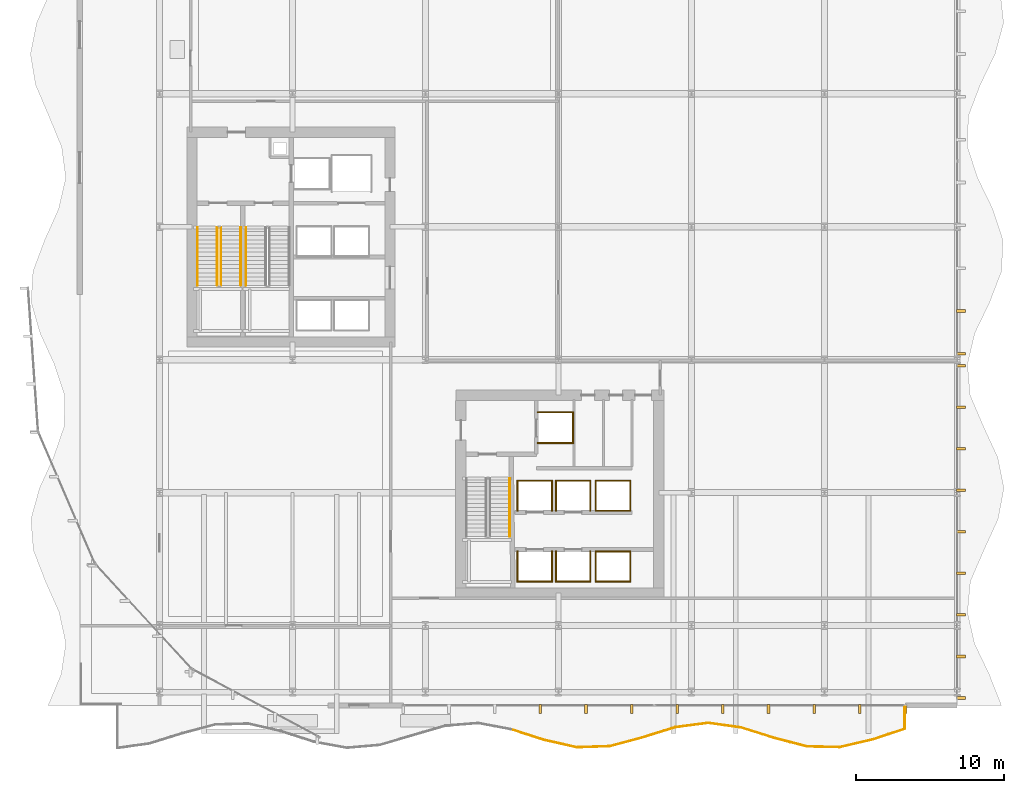
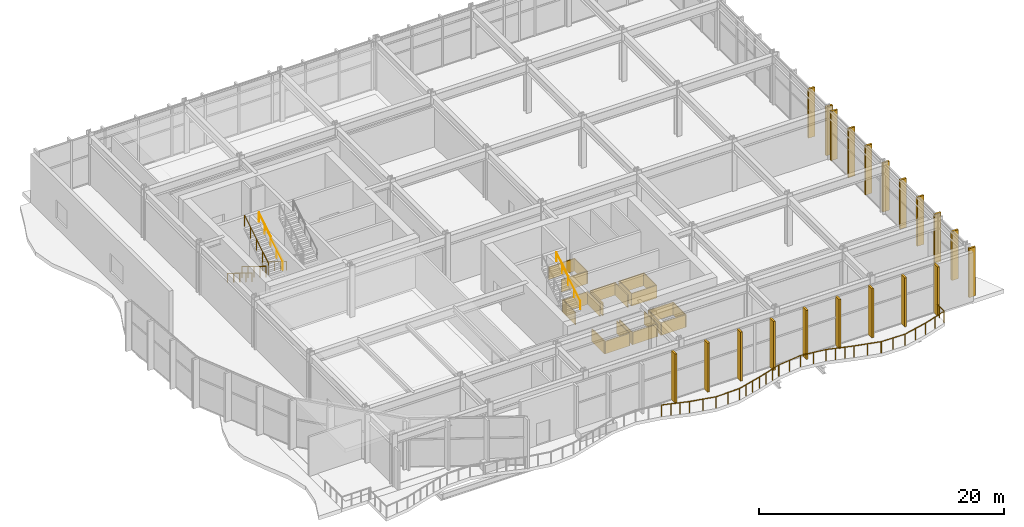
# One storey, part 28 of 31: 43 coverings, 19 railings.
"""IFC4 building model written with IfcOpenShell, lengths in metres."""

import ifcopenshell
import ifcopenshell.guid

model = None  # the IFC model being written
_history = None  # IfcOwnerHistory: only IFC2X3 demands one
_inside = {}  # id of a spatial element -> (the spatial element, [elements in it])
_under = {}  # id of a project, library or spatial element -> (it, [spatial elements below it])
_declared = {}  # id of a project -> (the project, [libraries it declares])
_typed = {}  # id of a type object -> (the type object, [elements of that type])
_made_of = {}  # id of a material, layer set ... -> (it, [elements and type objects made of it])


def new_model(schema):
    """Start an empty IFC model of exactly this schema.

    Asked for "IFC4X3", IfcOpenShell would pick the latest addendum, in which some entities
    have other attributes; the version numbers below select the first issue.
    IFC2X3 requires an IfcOwnerHistory on every rooted entity: one is made here for all.
    """
    global model, _history
    if schema == "IFC4X3":
        model = ifcopenshell.file(schema_version=(4, 3, 0, 0))
    else:
        model = ifcopenshell.file(schema=schema)
    _inside.clear()
    _under.clear()
    _declared.clear()
    _typed.clear()
    _made_of.clear()
    _history = None
    if model.schema == "IFC2X3":
        org = make("IfcOrganization", Name="unknown")
        user = make(
            "IfcPersonAndOrganization",
            ThePerson=make("IfcPerson", FamilyName="unknown"),
            TheOrganization=org,
        )
        app = make(
            "IfcApplication",
            ApplicationDeveloper=org,
            Version="unknown",
            ApplicationFullName="unknown",
            ApplicationIdentifier="unknown",
        )
        _history = make(
            "IfcOwnerHistory",
            OwningUser=user,
            OwningApplication=app,
            ChangeAction="ADDED",
            CreationDate=0,
        )
    return model


def make(cls, **values):
    """One entity of the class cls with the attributes given. An attribute that is None is left unset."""
    return model.create_entity(
        cls, **{name: value for name, value in values.items() if value is not None}
    )


def rooted(cls, **values):
    """An entity with a GlobalId (a new one), such as an element, a storey or a relation."""
    return make(cls, GlobalId=ifcopenshell.guid.new(), OwnerHistory=_history, **values)


def si_unit(unit_type, name, prefix=None):
    """IfcSIUnit, for example si_unit("LENGTHUNIT", "METRE", prefix="MILLI")."""
    return make("IfcSIUnit", UnitType=unit_type, Prefix=prefix, Name=name)


def assignment(units):
    """IfcUnitAssignment: the units of a project."""
    return None if units is None else make("IfcUnitAssignment", Units=units)


def point(xyz):
    """IfcCartesianPoint."""
    return None if xyz is None else make("IfcCartesianPoint", Coordinates=xyz)


def direction(xyz):
    """IfcDirection."""
    return None if xyz is None else make("IfcDirection", DirectionRatios=xyz)


def frame(location, z_axis=None, x_axis=None):
    """IfcAxis2Placement3D, a coordinate frame: its origin and axes. An axis left out is left unset."""
    return make(
        "IfcAxis2Placement3D",
        Location=point(location),
        Axis=direction(z_axis),
        RefDirection=direction(x_axis),
    )


def frame_2d(location, x_axis=None):
    """IfcAxis2Placement2D, a coordinate frame in the plane: its origin and x axis."""
    return make(
        "IfcAxis2Placement2D", Location=point(location), RefDirection=direction(x_axis)
    )


def origin():
    """The frame at (0, 0, 0) with its axes left unset."""
    return frame((0.0, 0.0, 0.0))


def origin_2d():
    """The frame at (0, 0) in the plane with its x axis left unset."""
    return frame_2d((0.0, 0.0))


def place(relative_to, where):
    """IfcLocalPlacement: puts the frame where relative to a parent placement (None: the world)."""
    return make(
        "IfcLocalPlacement", PlacementRelTo=relative_to, RelativePlacement=where
    )


def context(
    kind, dimensions, precision=None, world=None, true_north=None, identifier=None
):
    """IfcGeometricRepresentationContext, for example the 3D "Model" context."""
    return make(
        "IfcGeometricRepresentationContext",
        ContextIdentifier=identifier,
        ContextType=kind,
        CoordinateSpaceDimension=dimensions,
        Precision=precision,
        WorldCoordinateSystem=world,
        TrueNorth=true_north,
    )


def subcontext(parent, identifier, kind, view, scale=None):
    """IfcGeometricRepresentationSubContext, for example "Body" below "Model"."""
    return make(
        "IfcGeometricRepresentationSubContext",
        ContextIdentifier=identifier,
        ContextType=kind,
        ParentContext=parent,
        TargetScale=scale,
        TargetView=view,
    )


def project(units=None, contexts=None):
    """IfcProject with its units and contexts."""
    return rooted(
        "IfcProject",
        Name="project",
        RepresentationContexts=contexts,
        UnitsInContext=assignment(units),
    )


def spatial(cls, under=None, at=None, **own):
    """A site, building, storey or space (cls), placed at a placement, below another one or the project."""
    s = rooted(cls, ObjectPlacement=at, **own)
    if under is not None:
        _under.setdefault(under.id(), (under, []))[1].append(s)
    return s


def profile(cls, at=None, kind="AREA", **sizes):
    """A parametric profile (cls). Its sizes go by their IFC names, for example OverallWidth=200.0."""
    return make(cls, ProfileType=kind, Position=at, **sizes)


def rectangle(**sizes):
    """IfcRectangleProfileDef."""
    return profile("IfcRectangleProfileDef", **sizes)


def circle(**sizes):
    """IfcCircleProfileDef."""
    return profile("IfcCircleProfileDef", **sizes)


def extrude(swept, where, along, depth):
    """IfcExtrudedAreaSolid: the profile swept, set in the frame where, extruded along a direction by depth."""
    return make(
        "IfcExtrudedAreaSolid",
        SweptArea=swept,
        Position=where,
        ExtrudedDirection=direction(along),
        Depth=depth,
    )


def shape(context_of_items, identifier, shape_type, items):
    """IfcShapeRepresentation: the items that make up one representation, for example the "Body"."""
    return make(
        "IfcShapeRepresentation",
        ContextOfItems=context_of_items,
        RepresentationIdentifier=identifier,
        RepresentationType=shape_type,
        Items=items,
    )


def material(Name=None, Category=None):
    """IfcMaterial."""
    return make("IfcMaterial", Name=Name, Category=Category)


def layer(
    of_material, thickness, ventilated=None, Name=None, Category=None, Priority=None
):
    """IfcMaterialLayer: one layer of a wall or slab, of a material (None: an air gap)."""
    return make(
        "IfcMaterialLayer",
        Material=of_material,
        LayerThickness=thickness,
        IsVentilated=ventilated,
        Name=Name,
        Category=Category,
        Priority=Priority,
    )


def layer_set(layers, Name=None):
    """IfcMaterialLayerSet."""
    return make("IfcMaterialLayerSet", MaterialLayers=layers, LayerSetName=Name)


def made_of(thing, what):
    """Note that an element or type object is made of a material, layer set ...; save() writes the relation."""
    if what is not None:
        _made_of.setdefault(what.id(), (what, []))[1].append(thing)
    return thing


def type_object(cls, material=None, **own):
    """A type object (cls), such as IfcWallType, which elements share."""
    return made_of(rooted(cls, **own), material)


def element(
    cls,
    number,
    at=None,
    inside=None,
    cuts=None,
    type_object=None,
    material=None,
    context=None,
    identifier="Body",
    shape_type=None,
    held_by="IfcProductDefinitionShape",
    body=None,
    shapes=None,
    **own,
):
    """One element of the class cls, such as IfcWall. Its Tag is "e" and its number.

    at: its placement. inside: the storey or other place that contains it. cuts: it is an
    opening in that element (IfcRelVoidsElement). A single representation is given by context,
    identifier, shape_type and body (its items); several are given by shapes. held_by: the class
    of the entity that holds the representations. save() writes the other relations.
    """
    e = rooted(cls, Tag="e%d" % number, ObjectPlacement=at, **own)
    if body is not None:
        shapes = [shape(context, identifier, shape_type, body)]
    if shapes is not None:
        e.Representation = make(held_by, Representations=shapes)
    if inside is not None:
        _inside.setdefault(inside.id(), (inside, []))[1].append(e)
    if cuts is not None:
        rooted(
            "IfcRelVoidsElement", RelatingBuildingElement=cuts, RelatedOpeningElement=e
        )
    if type_object is not None:
        _typed.setdefault(type_object.id(), (type_object, []))[1].append(e)
    return made_of(e, material)


def aggregate(whole, parts):
    """IfcRelAggregates: a whole, such as a stair, and the parts it consists of."""
    return rooted("IfcRelAggregates", RelatingObject=whole, RelatedObjects=parts)


def save(model, path):
    """Write the relations noted so far, then the file.

    IfcRelAggregates (storeys below a building ...), IfcRelContainedInSpatialStructure (elements
    in a storey), IfcRelDefinesByType, IfcRelAssociatesMaterial and IfcRelDeclares: one each for
    every whole, place, type object, material and project.
    """
    for whole, parts in _under.values():
        aggregate(whole, parts)
    for where, things in _inside.values():
        rooted(
            "IfcRelContainedInSpatialStructure",
            RelatedElements=things,
            RelatingStructure=where,
        )
    for kind, things in _typed.values():
        rooted("IfcRelDefinesByType", RelatedObjects=things, RelatingType=kind)
    for what, things in _made_of.values():
        rooted("IfcRelAssociatesMaterial", RelatedObjects=things, RelatingMaterial=what)
    for by, libraries in _declared.values():
        rooted("IfcRelDeclares", RelatingContext=by, RelatedDefinitions=libraries)
    model.write(path)


model = new_model("IFC4")

# Units and contexts
model_context = context("Model", 3, precision=1e-05, world=origin(), true_north=direction((0.0, 1.0)))
body_context = subcontext(model_context, "Body", "Model", "MODEL_VIEW")
ifc_project = project(units=[si_unit("LENGTHUNIT", "METRE"), si_unit("AREAUNIT", "SQUARE_METRE"), si_unit("VOLUMEUNIT", "CUBIC_METRE"), si_unit("PLANEANGLEUNIT", "RADIAN"), si_unit("MASSUNIT", "GRAM", prefix="KILO")], contexts=[model_context])

# Site, building, storey
site_placement = place(None, origin())
site = spatial("IfcSite", under=ifc_project, at=site_placement, CompositionType="ELEMENT")
building_placement = place(site_placement, origin())
building = spatial("IfcBuilding", under=site, at=building_placement, Name="Solvaryn Broadcast Tower", CompositionType="ELEMENT")
storey_placement = place(building_placement, frame((0.0, 0.0, 11.0)))
storey = spatial("IfcBuildingStorey", under=building, at=storey_placement, Name="L02", CompositionType="ELEMENT", Elevation=11.0)

# Coverings
ifc_material_1 = material(Name="Fire-Rated Gypsum Shaftwall Liner", Category="concrete")
ifc_layer_1 = layer(ifc_material_1, 0.080078125)
ifc_layer_set_1 = layer_set([ifc_layer_1], Name="CV-SHAFT-LINER")
covering_type_1 = type_object("IfcCoveringType", Name="CV-SHAFT-LINER", PredefinedType="CLADDING", material=ifc_layer_set_1)
for number, where, z_axis, x_axis, name in (
    (1, (35.800048828125, 23.43994140625, 0.0), (0.0, 0.0, 1.0), (1.0, 0.0, 0.0), "L02 FL2 Hoistway Shaft Liner North"),
    (2, (35.800048828125, 21.360107421875, 0.0), (0.0, 0.0, 1.0), (1.0, 0.0, 0.0), "L02 FL2 Hoistway Shaft Liner South"),
):
    element("IfcCovering", number, at=place(storey_placement, frame(where, z_axis=z_axis, x_axis=x_axis)), inside=storey, type_object=covering_type_1, Name=name, PredefinedType="CLADDING", context=body_context, shape_type="SweptSolid", body=[
        extrude(rectangle(XDim=2.4599609375, YDim=0.080078125, at=origin_2d()), origin(), (0.0, 0.0, 1.0), 1.25),
    ])
covering_1_placement = place(storey_placement, frame((36.989990234375, 22.39990234375, 0.0), z_axis=(0.0, 0.0, 1.0), x_axis=(1.0, 0.0, 0.0)))
element("IfcCovering", 3, at=covering_1_placement, inside=storey, type_object=covering_type_1, Name="L02 FL2 Hoistway Shaft Liner East", PredefinedType="CLADDING", context=body_context, shape_type="SweptSolid", body=[
    extrude(rectangle(XDim=0.080078125, YDim=2.159912109375, at=origin_2d()), origin(), (0.0, 0.0, 1.0), 1.25),
])
covering_2_placement = place(storey_placement, frame((34.39990234375, 11.985107421875, 0.0), z_axis=(0.0, 0.0, 1.0), x_axis=(1.0, 0.0, 0.0)))
element("IfcCovering", 4, at=covering_2_placement, inside=storey, type_object=covering_type_1, Name="L02 PL1 Hoistway Shaft Liner South", PredefinedType="CLADDING", context=body_context, shape_type="SweptSolid", body=[
    extrude(rectangle(XDim=2.409912109375, YDim=0.080078125, at=origin_2d()), origin(), (0.0, 0.0, 1.0), 1.25),
])
for number, where, z_axis, x_axis, name in (
    (5, (35.56494140625, 13.0, 0.0), (0.0, 0.0, 1.0), (1.0, 0.0, 0.0), "L02 PL1 Hoistway Shaft Liner East"),
    (6, (33.235107421875, 13.0, 0.0), (0.0, 0.0, 1.0), (1.0, 0.0, 0.0), "L02 PL1 Hoistway Shaft Liner West"),
):
    element("IfcCovering", number, at=place(storey_placement, frame(where, z_axis=z_axis, x_axis=x_axis)), inside=storey, type_object=covering_type_1, Name=name, PredefinedType="CLADDING", context=body_context, shape_type="SweptSolid", body=[
        extrude(rectangle(XDim=0.080078125, YDim=2.110107421875, at=origin_2d()), origin(), (0.0, 0.0, 1.0), 1.25),
    ])
covering_3_placement = place(storey_placement, frame((37.0, 11.985107421875, 0.0), z_axis=(0.0, 0.0, 1.0), x_axis=(1.0, 0.0, 0.0)))
element("IfcCovering", 7, at=covering_3_placement, inside=storey, type_object=covering_type_1, Name="L02 PL2 Hoistway Shaft Liner South", PredefinedType="CLADDING", context=body_context, shape_type="SweptSolid", body=[
    extrude(rectangle(XDim=2.409912109375, YDim=0.080078125, at=origin_2d()), origin(), (0.0, 0.0, 1.0), 1.25),
])
for number, where, z_axis, x_axis, name in (
    (8, (38.1650390625, 13.0, 0.0), (0.0, 0.0, 1.0), (1.0, 0.0, 0.0), "L02 PL2 Hoistway Shaft Liner East"),
    (9, (35.8349609375, 13.0, 0.0), (0.0, 0.0, 1.0), (1.0, 0.0, 0.0), "L02 PL2 Hoistway Shaft Liner West"),
):
    element("IfcCovering", number, at=place(storey_placement, frame(where, z_axis=z_axis, x_axis=x_axis)), inside=storey, type_object=covering_type_1, Name=name, PredefinedType="CLADDING", context=body_context, shape_type="SweptSolid", body=[
        extrude(rectangle(XDim=0.080078125, YDim=2.110107421875, at=origin_2d()), origin(), (0.0, 0.0, 1.0), 1.25),
    ])
covering_4_placement = place(storey_placement, frame((34.39990234375, 18.81494140625, 0.0), z_axis=(0.0, 0.0, 1.0), x_axis=(1.0, 0.0, 0.0)))
element("IfcCovering", 10, at=covering_4_placement, inside=storey, type_object=covering_type_1, Name="L02 PL3 Hoistway Shaft Liner North", PredefinedType="CLADDING", context=body_context, shape_type="SweptSolid", body=[
    extrude(rectangle(XDim=2.409912109375, YDim=0.080078125, at=origin_2d()), origin(), (0.0, 0.0, 1.0), 1.25),
])
for number, where, z_axis, x_axis, name in (
    (11, (35.56494140625, 17.800048828125, 0.0), (0.0, 0.0, 1.0), (1.0, 0.0, 0.0), "L02 PL3 Hoistway Shaft Liner East"),
    (12, (33.235107421875, 17.800048828125, 0.0), (0.0, 0.0, 1.0), (1.0, 0.0, 0.0), "L02 PL3 Hoistway Shaft Liner West"),
):
    element("IfcCovering", number, at=place(storey_placement, frame(where, z_axis=z_axis, x_axis=x_axis)), inside=storey, type_object=covering_type_1, Name=name, PredefinedType="CLADDING", context=body_context, shape_type="SweptSolid", body=[
        extrude(rectangle(XDim=0.080078125, YDim=2.110107421875, at=origin_2d()), origin(), (0.0, 0.0, 1.0), 1.25),
    ])
covering_5_placement = place(storey_placement, frame((37.0, 18.81494140625, 0.0), z_axis=(0.0, 0.0, 1.0), x_axis=(1.0, 0.0, 0.0)))
element("IfcCovering", 13, at=covering_5_placement, inside=storey, type_object=covering_type_1, Name="L02 PL4 Hoistway Shaft Liner North", PredefinedType="CLADDING", context=body_context, shape_type="SweptSolid", body=[
    extrude(rectangle(XDim=2.409912109375, YDim=0.080078125, at=origin_2d()), origin(), (0.0, 0.0, 1.0), 1.25),
])
for number, where, z_axis, x_axis, name in (
    (14, (38.1650390625, 17.800048828125, 0.0), (0.0, 0.0, 1.0), (1.0, 0.0, 0.0), "L02 PL4 Hoistway Shaft Liner East"),
    (15, (35.8349609375, 17.800048828125, 0.0), (0.0, 0.0, 1.0), (1.0, 0.0, 0.0), "L02 PL4 Hoistway Shaft Liner West"),
):
    element("IfcCovering", number, at=place(storey_placement, frame(where, z_axis=z_axis, x_axis=x_axis)), inside=storey, type_object=covering_type_1, Name=name, PredefinedType="CLADDING", context=body_context, shape_type="SweptSolid", body=[
        extrude(rectangle(XDim=0.080078125, YDim=2.110107421875, at=origin_2d()), origin(), (0.0, 0.0, 1.0), 1.25),
    ])
for number, where, z_axis, x_axis, name in (
    (16, (39.699951171875, 14.014892578125, 0.0), (0.0, 0.0, 1.0), (1.0, 0.0, 0.0), "L02 PM1 Hoistway Shaft Liner North"),
    (17, (39.699951171875, 11.985107421875, 0.0), (0.0, 0.0, 1.0), (1.0, 0.0, 0.0), "L02 PM1 Hoistway Shaft Liner South"),
):
    element("IfcCovering", number, at=place(storey_placement, frame(where, z_axis=z_axis, x_axis=x_axis)), inside=storey, type_object=covering_type_1, Name=name, PredefinedType="CLADDING", context=body_context, shape_type="SweptSolid", body=[
        extrude(rectangle(XDim=2.409912109375, YDim=0.080078125, at=origin_2d()), origin(), (0.0, 0.0, 1.0), 1.25),
    ])
for number, where, z_axis, x_axis, name in (
    (18, (40.864990234375, 13.0, 0.0), (0.0, 0.0, 1.0), (1.0, 0.0, 0.0), "L02 PM1 Hoistway Shaft Liner East"),
    (19, (38.534912109375, 13.0, 0.0), (0.0, 0.0, 1.0), (1.0, 0.0, 0.0), "L02 PM1 Hoistway Shaft Liner West"),
):
    element("IfcCovering", number, at=place(storey_placement, frame(where, z_axis=z_axis, x_axis=x_axis)), inside=storey, type_object=covering_type_1, Name=name, PredefinedType="CLADDING", context=body_context, shape_type="SweptSolid", body=[
        extrude(rectangle(XDim=0.080078125, YDim=2.110107421875, at=origin_2d()), origin(), (0.0, 0.0, 1.0), 1.25),
    ])
for number, where, z_axis, x_axis, name in (
    (20, (39.699951171875, 18.81494140625, 0.0), (0.0, 0.0, 1.0), (1.0, 0.0, 0.0), "L02 PM2 Hoistway Shaft Liner North"),
    (21, (39.699951171875, 16.784912109375, 0.0), (0.0, 0.0, 1.0), (1.0, 0.0, 0.0), "L02 PM2 Hoistway Shaft Liner South"),
):
    element("IfcCovering", number, at=place(storey_placement, frame(where, z_axis=z_axis, x_axis=x_axis)), inside=storey, type_object=covering_type_1, Name=name, PredefinedType="CLADDING", context=body_context, shape_type="SweptSolid", body=[
        extrude(rectangle(XDim=2.409912109375, YDim=0.080078125, at=origin_2d()), origin(), (0.0, 0.0, 1.0), 1.25),
    ])
for number, where, z_axis, x_axis, name in (
    (22, (40.864990234375, 17.800048828125, 0.0), (0.0, 0.0, 1.0), (1.0, 0.0, 0.0), "L02 PM2 Hoistway Shaft Liner East"),
    (23, (38.534912109375, 17.800048828125, 0.0), (0.0, 0.0, 1.0), (1.0, 0.0, 0.0), "L02 PM2 Hoistway Shaft Liner West"),
):
    element("IfcCovering", number, at=place(storey_placement, frame(where, z_axis=z_axis, x_axis=x_axis)), inside=storey, type_object=covering_type_1, Name=name, PredefinedType="CLADDING", context=body_context, shape_type="SweptSolid", body=[
        extrude(rectangle(XDim=0.080078125, YDim=2.110107421875, at=origin_2d()), origin(), (0.0, 0.0, 1.0), 1.25),
    ])
ifc_material_2 = material(Name="Extruded Architectural Terracotta Fin", Category="masonry")
ifc_layer_2 = layer(ifc_material_2, 0.179931640625)
ifc_layer_set_2 = layer_set([ifc_layer_2], Name="CV-TC-FIN")
covering_type_2 = type_object("IfcCoveringType", Name="CV-TC-FIN", PredefinedType="USERDEFINED", material=ifc_layer_set_2)
for number, where, z_axis, x_axis, name in (
    (24, (59.5, 3.35009765625, 0.0), (0.0, 0.0, 1.0), (1.0, 0.0, 0.0), "L02 Terracotta Vertical Fin FIN-POD-L02-S1-00"),
    (25, (56.4091796875, 3.35009765625, 0.0), (0.0, 0.0, 1.0), (1.0, 0.0, 0.0), "L02 Terracotta Vertical Fin FIN-POD-L02-S1-01"),
    (26, (53.318115234375, 3.35009765625, 0.0), (0.0, 0.0, 1.0), (1.0, 0.0, 0.0), "L02 Terracotta Vertical Fin FIN-POD-L02-S1-02"),
    (27, (50.227294921875, 3.35009765625, 0.0), (0.0, 0.0, 1.0), (1.0, 0.0, 0.0), "L02 Terracotta Vertical Fin FIN-POD-L02-S1-03"),
    (28, (47.136474609375, 3.35009765625, 0.0), (0.0, 0.0, 1.0), (1.0, 0.0, 0.0), "L02 Terracotta Vertical Fin FIN-POD-L02-S1-04"),
    (29, (44.04541015625, 3.35009765625, 0.0), (0.0, 0.0, 1.0), (1.0, 0.0, 0.0), "L02 Terracotta Vertical Fin FIN-POD-L02-S1-05"),
    (30, (40.95458984375, 3.35009765625, 0.0), (0.0, 0.0, 1.0), (1.0, 0.0, 0.0), "L02 Terracotta Vertical Fin FIN-POD-L02-S1-06"),
    (31, (37.863525390625, 3.35009765625, 0.0), (0.0, 0.0, 1.0), (1.0, 0.0, 0.0), "L02 Terracotta Vertical Fin FIN-POD-L02-S1-07"),
    (32, (34.772705078125, 3.35009765625, 0.0), (0.0, 0.0, 1.0), (1.0, 0.0, 0.0), "L02 Terracotta Vertical Fin FIN-POD-L02-S1-08"),
):
    element("IfcCovering", number, at=place(storey_placement, frame(where, z_axis=z_axis, x_axis=x_axis)), inside=storey, type_object=covering_type_2, Name=name, ObjectType="FIN", PredefinedType="USERDEFINED", context=body_context, shape_type="SweptSolid", body=[
        extrude(rectangle(XDim=0.179931640625, YDim=0.6201171875, at=origin_2d()), origin(), (0.0, 0.0, 1.0), 4.8798828125),
    ])
for number, where, z_axis, x_axis, name in (
    (33, (63.25, 30.300048828125, 0.0), (0.0, 0.0, 1.0), (1.0, 0.0, 0.0), "L02 Terracotta Vertical Fin FIN-POD-L02-E1-08"),
    (34, (63.25, 27.39990234375, 0.0), (0.0, 0.0, 1.0), (1.0, 0.0, 0.0), "L02 Terracotta Vertical Fin FIN-POD-L02-E1-09"),
    (35, (63.25, 26.60009765625, 0.0), (0.0, 0.0, 1.0), (1.0, 0.0, 0.0), "L02 Terracotta Vertical Fin FIN-POD-L02-E2-00"),
    (36, (63.25, 23.78759765625, 0.0), (0.0, 0.0, 1.0), (1.0, 0.0, 0.0), "L02 Terracotta Vertical Fin FIN-POD-L02-E2-01"),
    (37, (63.25, 20.97509765625, 0.0), (0.0, 0.0, 1.0), (1.0, 0.0, 0.0), "L02 Terracotta Vertical Fin FIN-POD-L02-E2-02"),
    (38, (63.25, 18.16259765625, 0.0), (0.0, 0.0, 1.0), (1.0, 0.0, 0.0), "L02 Terracotta Vertical Fin FIN-POD-L02-E2-03"),
    (39, (63.25, 15.35009765625, 0.0), (0.0, 0.0, 1.0), (1.0, 0.0, 0.0), "L02 Terracotta Vertical Fin FIN-POD-L02-E2-04"),
    (40, (63.25, 12.53759765625, 0.0), (0.0, 0.0, 1.0), (1.0, 0.0, 0.0), "L02 Terracotta Vertical Fin FIN-POD-L02-E2-05"),
    (41, (63.25, 9.72509765625, 0.0), (0.0, 0.0, 1.0), (1.0, 0.0, 0.0), "L02 Terracotta Vertical Fin FIN-POD-L02-E2-06"),
    (42, (63.25, 6.91259765625, 0.0), (0.0, 0.0, 1.0), (1.0, 0.0, 0.0), "L02 Terracotta Vertical Fin FIN-POD-L02-E2-07"),
    (43, (63.25, 4.10009765625, 0.0), (0.0, 0.0, 1.0), (1.0, 0.0, 0.0), "L02 Terracotta Vertical Fin FIN-POD-L02-E2-08"),
):
    element("IfcCovering", number, at=place(storey_placement, frame(where, z_axis=z_axis, x_axis=x_axis)), inside=storey, type_object=covering_type_2, Name=name, ObjectType="FIN", PredefinedType="USERDEFINED", context=body_context, shape_type="SweptSolid", body=[
        extrude(rectangle(XDim=0.6201171875, YDim=0.179931640625, at=origin_2d()), origin(), (0.0, 0.0, 1.0), 4.8798828125),
    ])

# Railings
ifc_material_3 = material(Name="Painted Steel Stair Well Guard", Category="steel")
railing_type_1 = type_object("IfcRailingType", Name="RL-STAIR-GUARD", PredefinedType="BALUSTRADE", material=ifc_material_3)
railing_1_placement = place(storey_placement, frame((12.909912109375, 35.9599609375, 0.17333984375)))
element("IfcRailing", 44, at=railing_1_placement, inside=storey, type_object=railing_type_1, Name="L02 ST1 stair guard 1", PredefinedType="BALUSTRADE", context=body_context, shape_type="SweptSolid", body=[
    extrude(circle(Radius=0.02392578125, at=origin_2d()), frame((0.0, 0.0, 1.076171875), z_axis=(0.0, -0.850251603719, 0.526376491091), x_axis=(1.0, 0.0, 0.0)), (0.0, 0.0, 1.0), 4.6103515625),
    extrude(circle(Radius=0.02099609375, at=origin_2d()), origin(), (0.0, 0.0, 1.0), 1.052001953125),
    extrude(circle(Radius=0.02099609375, at=origin_2d()), frame((0.0, -0.97998046875, 0.606689453125)), (0.0, 0.0, 1.0), 1.052001953125),
    extrude(circle(Radius=0.02099609375, at=origin_2d()), frame((0.0, -1.9599609375, 1.21337890625)), (0.0, 0.0, 1.0), 1.052001953125),
    extrude(circle(Radius=0.02099609375, at=origin_2d()), frame((0.0, -2.93994140625, 1.820068359375)), (0.0, 0.0, 1.0), 1.052001953125),
    extrude(circle(Radius=0.02099609375, at=origin_2d()), frame((0.0, -3.919921875, 2.4267578125)), (0.0, 0.0, 1.0), 1.052001953125),
])
railing_2_placement = place(storey_placement, frame((13.159912109375, 32.0400390625, 2.7734375)))
element("IfcRailing", 45, at=railing_2_placement, inside=storey, type_object=railing_type_1, Name="L02 ST1 stair guard 3", PredefinedType="BALUSTRADE", context=body_context, shape_type="SweptSolid", body=[
    extrude(circle(Radius=0.02392578125, at=origin_2d()), frame((0.0, 0.0, 1.076171875), z_axis=(0.0, 0.850275303828, 0.526338206574), x_axis=(-1.0, 0.0, 0.0)), (0.0, 0.0, 1.0), 4.610107421875),
    extrude(circle(Radius=0.02099609375, at=origin_2d()), origin(), (0.0, 0.0, 1.0), 1.052001953125),
    extrude(circle(Radius=0.02099609375, at=origin_2d()), frame((0.0, 0.97998046875, 0.606689453125)), (0.0, 0.0, 1.0), 1.052001953125),
    extrude(circle(Radius=0.02099609375, at=origin_2d()), frame((0.0, 1.9599609375, 1.21337890625)), (0.0, 0.0, 1.0), 1.052001953125),
    extrude(circle(Radius=0.02099609375, at=origin_2d()), frame((0.0, 2.93994140625, 1.81982421875)), (0.0, 0.0, 1.0), 1.052001953125),
    extrude(circle(Radius=0.02099609375, at=origin_2d()), frame((0.0, 3.919921875, 2.426513671875)), (0.0, 0.0, 1.0), 1.052001953125),
])
ifc_material_4 = material(Name="Brushed Stainless Steel Tubular Handrail", Category="steel")
railing_type_2 = type_object("IfcRailingType", Name="RL-STAIR-HANDRAIL", PredefinedType="HANDRAIL", material=ifc_material_4)
railing_3_placement = place(storey_placement, frame((11.570068359375, 35.9599609375, 0.17333984375)))
element("IfcRailing", 46, at=railing_3_placement, inside=storey, type_object=railing_type_2, Name="L02 ST1 stair handrail 1", PredefinedType="HANDRAIL", context=body_context, shape_type="SweptSolid", body=[
    extrude(circle(Radius=0.02392578125, at=origin_2d()), frame((0.0, 0.0, 0.8759765625), z_axis=(0.0, -0.850251603719, 0.526376491091), x_axis=(1.0, 0.0, 0.0)), (0.0, 0.0, 1.0), 4.6103515625),
    extrude(circle(Radius=0.02099609375, at=origin_2d()), origin(), (0.0, 0.0, 1.0), 0.851806640625),
    extrude(circle(Radius=0.02099609375, at=origin_2d()), frame((0.0, -0.97998046875, 0.606689453125)), (0.0, 0.0, 1.0), 0.851806640625),
    extrude(circle(Radius=0.02099609375, at=origin_2d()), frame((0.0, -1.9599609375, 1.21337890625)), (0.0, 0.0, 1.0), 0.851806640625),
    extrude(circle(Radius=0.02099609375, at=origin_2d()), frame((0.0, -2.93994140625, 1.820068359375)), (0.0, 0.0, 1.0), 0.851806640625),
    extrude(circle(Radius=0.02099609375, at=origin_2d()), frame((0.0, -3.919921875, 2.4267578125)), (0.0, 0.0, 1.0), 0.851806640625),
])
railing_4_placement = place(storey_placement, frame((14.5, 32.0400390625, 2.7734375)))
element("IfcRailing", 47, at=railing_4_placement, inside=storey, type_object=railing_type_2, Name="L02 ST1 stair handrail 2", PredefinedType="HANDRAIL", context=body_context, shape_type="SweptSolid", body=[
    extrude(circle(Radius=0.02392578125, at=origin_2d()), frame((0.0, 0.0, 0.8759765625), z_axis=(0.0, 0.850275303828, 0.526338206574), x_axis=(-1.0, 0.0, 0.0)), (0.0, 0.0, 1.0), 4.610107421875),
    extrude(circle(Radius=0.02099609375, at=origin_2d()), origin(), (0.0, 0.0, 1.0), 0.851806640625),
    extrude(circle(Radius=0.02099609375, at=origin_2d()), frame((0.0, 0.97998046875, 0.606689453125)), (0.0, 0.0, 1.0), 0.851806640625),
    extrude(circle(Radius=0.02099609375, at=origin_2d()), frame((0.0, 1.9599609375, 1.21337890625)), (0.0, 0.0, 1.0), 0.851806640625),
    extrude(circle(Radius=0.02099609375, at=origin_2d()), frame((0.0, 2.93994140625, 1.81982421875)), (0.0, 0.0, 1.0), 0.851806640625),
    extrude(circle(Radius=0.02099609375, at=origin_2d()), frame((0.0, 3.919921875, 2.426513671875)), (0.0, 0.0, 1.0), 0.851806640625),
])
railing_5_placement = place(storey_placement, frame((14.85009765625, 35.9599609375, 0.17333984375)))
element("IfcRailing", 48, at=railing_5_placement, inside=storey, type_object=railing_type_2, Name="L02 ST2 stair handrail 1", PredefinedType="HANDRAIL", context=body_context, shape_type="SweptSolid", body=[
    extrude(circle(Radius=0.02392578125, at=origin_2d()), frame((0.0, 0.0, 0.8759765625), z_axis=(0.0, -0.850251603719, 0.526376491091), x_axis=(1.0, 0.0, 0.0)), (0.0, 0.0, 1.0), 4.6103515625),
    extrude(circle(Radius=0.02099609375, at=origin_2d()), origin(), (0.0, 0.0, 1.0), 0.851806640625),
    extrude(circle(Radius=0.02099609375, at=origin_2d()), frame((0.0, -0.97998046875, 0.606689453125)), (0.0, 0.0, 1.0), 0.851806640625),
    extrude(circle(Radius=0.02099609375, at=origin_2d()), frame((0.0, -1.9599609375, 1.21337890625)), (0.0, 0.0, 1.0), 0.851806640625),
    extrude(circle(Radius=0.02099609375, at=origin_2d()), frame((0.0, -2.93994140625, 1.820068359375)), (0.0, 0.0, 1.0), 0.851806640625),
    extrude(circle(Radius=0.02099609375, at=origin_2d()), frame((0.0, -3.919921875, 2.4267578125)), (0.0, 0.0, 1.0), 0.851806640625),
])
railing_6_placement = place(storey_placement, frame((32.699951171875, 15.0400390625, 2.7734375)))
element("IfcRailing", 49, at=railing_6_placement, inside=storey, type_object=railing_type_2, Name="L02 ST3 stair handrail 2", PredefinedType="HANDRAIL", context=body_context, shape_type="SweptSolid", body=[
    extrude(circle(Radius=0.02392578125, at=origin_2d()), frame((0.0, 0.0, 0.8759765625), z_axis=(0.0, 0.850275303828, 0.526338206574), x_axis=(-1.0, 0.0, 0.0)), (0.0, 0.0, 1.0), 4.610107421875),
    extrude(circle(Radius=0.02099609375, at=origin_2d()), origin(), (0.0, 0.0, 1.0), 0.851806640625),
    extrude(circle(Radius=0.02099609375, at=origin_2d()), frame((0.0, 0.97998046875, 0.606689453125)), (0.0, 0.0, 1.0), 0.851806640625),
    extrude(circle(Radius=0.02099609375, at=origin_2d()), frame((0.0, 1.9599609375, 1.21337890625)), (0.0, 0.0, 1.0), 0.851806640625),
    extrude(circle(Radius=0.02099609375, at=origin_2d()), frame((0.0, 2.93994140625, 1.81982421875)), (0.0, 0.0, 1.0), 0.851806640625),
    extrude(circle(Radius=0.02099609375, at=origin_2d()), frame((0.0, 3.919921875, 2.426513671875)), (0.0, 0.0, 1.0), 0.851806640625),
])
ifc_material_5 = material(Name="Stainless Steel and Laminated Glass Guard", Category="steel")
railing_type_3 = type_object("IfcRailingType", Name="RL-TER-1150", PredefinedType="BALUSTRADE", material=ifc_material_5)
railing_7_placement = place(storey_placement, frame((32.800048828125, 1.975341796875, 0.0)))
element("IfcRailing", 50, at=railing_7_placement, inside=storey, type_object=railing_type_3, Name="L02 Terrace Guard TS02S-14", PredefinedType="BALUSTRADE", context=body_context, shape_type="SweptSolid", body=[
    extrude(circle(Radius=0.02392578125, at=origin_2d()), frame((0.0, 0.0, 1.1259765625), z_axis=(0.951759790857, -0.306844098051, 0.0), x_axis=(0.306844098051, 0.951759790857, 0.0)), (0.0, 0.0, 1.0), 2.337646484375),
    extrude(circle(Radius=0.02099609375, at=origin_2d()), origin(), (0.0, 0.0, 1.0), 1.101806640625),
    extrude(circle(Radius=0.02099609375, at=origin_2d()), frame((0.74169921875, -0.239013671875, 0.0)), (0.0, 0.0, 1.0), 1.101806640625),
    extrude(circle(Radius=0.02099609375, at=origin_2d()), frame((1.483154296875, -0.478271484375, 0.0)), (0.0, 0.0, 1.0), 1.101806640625),
    extrude(circle(Radius=0.02099609375, at=origin_2d()), frame((2.224853515625, -0.71728515625, 0.0)), (0.0, 0.0, 1.0), 1.101806640625),
])
railing_8_placement = place(storey_placement, frame((35.02490234375, 1.258056640625, 0.0)))
element("IfcRailing", 51, at=railing_8_placement, inside=storey, type_object=railing_type_3, Name="L02 Terrace Guard TS02S-15", PredefinedType="BALUSTRADE", context=body_context, shape_type="SweptSolid", body=[
    extrude(circle(Radius=0.02392578125, at=origin_2d()), frame((0.0, 0.0, 1.1259765625), z_axis=(0.97555585687, -0.219751610067, 0.0), x_axis=(0.219751610067, 0.97555585687, 0.0)), (0.0, 0.0, 1.0), 2.28076171875),
    extrude(circle(Radius=0.02099609375, at=origin_2d()), origin(), (0.0, 0.0, 1.0), 1.101806640625),
    extrude(circle(Radius=0.02099609375, at=origin_2d()), frame((1.112548828125, -0.25048828125, 0.0)), (0.0, 0.0, 1.0), 1.101806640625),
    extrude(circle(Radius=0.02099609375, at=origin_2d()), frame((2.22509765625, -0.501220703125, 0.0)), (0.0, 0.0, 1.0), 1.101806640625),
])
railing_9_placement = place(storey_placement, frame((37.25, 0.7568359375, 0.0)))
element("IfcRailing", 52, at=railing_9_placement, inside=storey, type_object=railing_type_3, Name="L02 Terrace Guard TS02S-16", PredefinedType="BALUSTRADE", context=body_context, shape_type="SweptSolid", body=[
    extrude(circle(Radius=0.02392578125, at=origin_2d()), frame((0.0, 0.0, 1.1259765625), z_axis=(0.999447824178, 0.033227198895, 0.0), x_axis=(-0.033227198895, 0.999447824178, 0.0)), (0.0, 0.0, 1.0), 2.226318359375),
    extrude(circle(Radius=0.02099609375, at=origin_2d()), origin(), (0.0, 0.0, 1.0), 1.101806640625),
    extrude(circle(Radius=0.02099609375, at=origin_2d()), frame((1.112548828125, 0.037109375, 0.0)), (0.0, 0.0, 1.0), 1.101806640625),
    extrude(circle(Radius=0.02099609375, at=origin_2d()), frame((2.22509765625, 0.073974609375, 0.0)), (0.0, 0.0, 1.0), 1.101806640625),
])
railing_10_placement = place(storey_placement, frame((39.47509765625, 0.830810546875, 0.0)))
element("IfcRailing", 53, at=railing_10_placement, inside=storey, type_object=railing_type_3, Name="L02 Terrace Guard TS02S-17", PredefinedType="BALUSTRADE", context=body_context, shape_type="SweptSolid", body=[
    extrude(circle(Radius=0.02392578125, at=origin_2d()), frame((0.0, 0.0, 1.1259765625), z_axis=(0.965921082658, 0.258836747926, 0.0), x_axis=(-0.258836747926, 0.965921082658, 0.0)), (0.0, 0.0, 1.0), 2.303466796875),
    extrude(circle(Radius=0.02099609375, at=origin_2d()), origin(), (0.0, 0.0, 1.0), 1.101806640625),
    extrude(circle(Radius=0.02099609375, at=origin_2d()), frame((0.74169921875, 0.19873046875, 0.0)), (0.0, 0.0, 1.0), 1.101806640625),
    extrude(circle(Radius=0.02099609375, at=origin_2d()), frame((1.483154296875, 0.3974609375, 0.0)), (0.0, 0.0, 1.0), 1.101806640625),
    extrude(circle(Radius=0.02099609375, at=origin_2d()), frame((2.224853515625, 0.59619140625, 0.0)), (0.0, 0.0, 1.0), 1.101806640625),
])
railing_11_placement = place(storey_placement, frame((41.699951171875, 1.427001953125, 0.0)))
element("IfcRailing", 54, at=railing_11_placement, inside=storey, type_object=railing_type_3, Name="L02 Terrace Guard TS02S-18", PredefinedType="BALUSTRADE", context=body_context, shape_type="SweptSolid", body=[
    extrude(circle(Radius=0.02392578125, at=origin_2d()), frame((0.0, 0.0, 1.1259765625), z_axis=(0.954959752793, 0.29673535439, 0.0), x_axis=(-0.29673535439, 0.954959752793, 0.0)), (0.0, 0.0, 1.0), 2.330078125),
    extrude(circle(Radius=0.02099609375, at=origin_2d()), origin(), (0.0, 0.0, 1.0), 1.101806640625),
    extrude(circle(Radius=0.02099609375, at=origin_2d()), frame((0.74169921875, 0.23046875, 0.0)), (0.0, 0.0, 1.0), 1.101806640625),
    extrude(circle(Radius=0.02099609375, at=origin_2d()), frame((1.4833984375, 0.4609375, 0.0)), (0.0, 0.0, 1.0), 1.101806640625),
    extrude(circle(Radius=0.02099609375, at=origin_2d()), frame((2.22509765625, 0.69140625, 0.0)), (0.0, 0.0, 1.0), 1.101806640625),
])
railing_12_placement = place(storey_placement, frame((43.925048828125, 2.118408203125, 0.0)))
element("IfcRailing", 55, at=railing_12_placement, inside=storey, type_object=railing_type_3, Name="L02 Terrace Guard TS02S-19", PredefinedType="BALUSTRADE", context=body_context, shape_type="SweptSolid", body=[
    extrude(circle(Radius=0.02392578125, at=origin_2d()), frame((0.0, 0.0, 1.1259765625), z_axis=(0.991525620736, 0.129911290591, 0.0), x_axis=(-0.129911290591, 0.991525620736, 0.0)), (0.0, 0.0, 1.0), 2.243896484375),
    extrude(circle(Radius=0.02099609375, at=origin_2d()), origin(), (0.0, 0.0, 1.0), 1.101806640625),
    extrude(circle(Radius=0.02099609375, at=origin_2d()), frame((1.1123046875, 0.145751953125, 0.0)), (0.0, 0.0, 1.0), 1.101806640625),
    extrude(circle(Radius=0.02099609375, at=origin_2d()), frame((2.224853515625, 0.29150390625, 0.0)), (0.0, 0.0, 1.0), 1.101806640625),
])
railing_13_placement = place(storey_placement, frame((46.14990234375, 2.409912109375, 0.0)))
element("IfcRailing", 56, at=railing_13_placement, inside=storey, type_object=railing_type_3, Name="L02 Terrace Guard TS02S-20", PredefinedType="BALUSTRADE", context=body_context, shape_type="SweptSolid", body=[
    extrude(circle(Radius=0.02392578125, at=origin_2d()), frame((0.0, 0.0, 1.1259765625), z_axis=(0.989995064043, -0.141101995632, 0.0), x_axis=(0.141101995632, 0.989995064043, 0.0)), (0.0, 0.0, 1.0), 2.24755859375),
    extrude(circle(Radius=0.02099609375, at=origin_2d()), origin(), (0.0, 0.0, 1.0), 1.101806640625),
    extrude(circle(Radius=0.02099609375, at=origin_2d()), frame((1.112548828125, -0.15869140625, 0.0)), (0.0, 0.0, 1.0), 1.101806640625),
    extrude(circle(Radius=0.02099609375, at=origin_2d()), frame((2.22509765625, -0.317138671875, 0.0)), (0.0, 0.0, 1.0), 1.101806640625),
])
railing_14_placement = place(storey_placement, frame((48.375, 2.0927734375, 0.0)))
element("IfcRailing", 57, at=railing_14_placement, inside=storey, type_object=railing_type_3, Name="L02 Terrace Guard TS02S-21", PredefinedType="BALUSTRADE", context=body_context, shape_type="SweptSolid", body=[
    extrude(circle(Radius=0.02392578125, at=origin_2d()), frame((0.0, 0.0, 1.1259765625), z_axis=(0.954095468848, -0.299502648275, 0.0), x_axis=(0.299502648275, 0.954095468848, 0.0)), (0.0, 0.0, 1.0), 2.332275390625),
    extrude(circle(Radius=0.02099609375, at=origin_2d()), origin(), (0.0, 0.0, 1.0), 1.101806640625),
    extrude(circle(Radius=0.02099609375, at=origin_2d()), frame((0.74169921875, -0.23291015625, 0.0)), (0.0, 0.0, 1.0), 1.101806640625),
    extrude(circle(Radius=0.02099609375, at=origin_2d()), frame((1.4833984375, -0.465576171875, 0.0)), (0.0, 0.0, 1.0), 1.101806640625),
    extrude(circle(Radius=0.02099609375, at=origin_2d()), frame((2.22509765625, -0.698486328125, 0.0)), (0.0, 0.0, 1.0), 1.101806640625),
])
railing_15_placement = place(storey_placement, frame((50.60009765625, 1.394287109375, 0.0)))
element("IfcRailing", 58, at=railing_15_placement, inside=storey, type_object=railing_type_3, Name="L02 Terrace Guard TS02S-22", PredefinedType="BALUSTRADE", context=body_context, shape_type="SweptSolid", body=[
    extrude(circle(Radius=0.02392578125, at=origin_2d()), frame((0.0, 0.0, 1.1259765625), z_axis=(0.967651092109, -0.252292219341, 0.0), x_axis=(0.252292219341, 0.967651092109, 0.0)), (0.0, 0.0, 1.0), 2.29931640625),
    extrude(circle(Radius=0.02099609375, at=origin_2d()), origin(), (0.0, 0.0, 1.0), 1.101806640625),
    extrude(circle(Radius=0.02099609375, at=origin_2d()), frame((1.1123046875, -0.2900390625, 0.0)), (0.0, 0.0, 1.0), 1.101806640625),
    extrude(circle(Radius=0.02099609375, at=origin_2d()), frame((2.224853515625, -0.580078125, 0.0)), (0.0, 0.0, 1.0), 1.101806640625),
])
railing_16_placement = place(storey_placement, frame((52.824951171875, 0.814208984375, 0.0)))
element("IfcRailing", 59, at=railing_16_placement, inside=storey, type_object=railing_type_3, Name="L02 Terrace Guard TS02S-23", PredefinedType="BALUSTRADE", context=body_context, shape_type="SweptSolid", body=[
    extrude(circle(Radius=0.02392578125, at=origin_2d()), frame((0.0, 0.0, 1.1259765625), z_axis=(0.999789574643, -0.02051356709, 0.0), x_axis=(0.02051356709, 0.999789574643, 0.0)), (0.0, 0.0, 1.0), 2.2255859375),
    extrude(circle(Radius=0.02099609375, at=origin_2d()), origin(), (0.0, 0.0, 1.0), 1.101806640625),
    extrude(circle(Radius=0.02099609375, at=origin_2d()), frame((1.112548828125, -0.02294921875, 0.0)), (0.0, 0.0, 1.0), 1.101806640625),
    extrude(circle(Radius=0.02099609375, at=origin_2d()), frame((2.22509765625, -0.045654296875, 0.0)), (0.0, 0.0, 1.0), 1.101806640625),
])
railing_17_placement = place(storey_placement, frame((55.050048828125, 0.7685546875, 0.0)))
element("IfcRailing", 60, at=railing_17_placement, inside=storey, type_object=railing_type_3, Name="L02 Terrace Guard TS02S-24", PredefinedType="BALUSTRADE", context=body_context, shape_type="SweptSolid", body=[
    extrude(circle(Radius=0.02392578125, at=origin_2d()), frame((0.0, 0.0, 1.1259765625), z_axis=(0.973684143273, 0.227901709382, 0.0), x_axis=(-0.227901709382, 0.973684143273, 0.0)), (0.0, 0.0, 1.0), 2.284912109375),
    extrude(circle(Radius=0.02099609375, at=origin_2d()), origin(), (0.0, 0.0, 1.0), 1.101806640625),
    extrude(circle(Radius=0.02099609375, at=origin_2d()), frame((1.1123046875, 0.26025390625, 0.0)), (0.0, 0.0, 1.0), 1.101806640625),
    extrude(circle(Radius=0.02099609375, at=origin_2d()), frame((2.224853515625, 0.520751953125, 0.0)), (0.0, 0.0, 1.0), 1.101806640625),
])
railing_18_placement = place(storey_placement, frame((57.27490234375, 1.289306640625, 0.0)))
element("IfcRailing", 61, at=railing_18_placement, inside=storey, type_object=railing_type_3, Name="L02 Terrace Guard TS02S-25", PredefinedType="BALUSTRADE", context=body_context, shape_type="SweptSolid", body=[
    extrude(circle(Radius=0.02392578125, at=origin_2d()), frame((0.0, 0.0, 1.1259765625), z_axis=(0.949578926265, 0.313528089322, 0.0), x_axis=(-0.313528089322, 0.949578926265, 0.0)), (0.0, 0.0, 1.0), 2.280029296875),
    extrude(circle(Radius=0.02099609375, at=origin_2d()), origin(), (0.0, 0.0, 1.0), 1.101806640625),
    extrude(circle(Radius=0.02099609375, at=origin_2d()), frame((1.08251953125, 0.357421875, 0.0)), (0.0, 0.0, 1.0), 1.101806640625),
    extrude(circle(Radius=0.02099609375, at=origin_2d()), frame((2.1650390625, 0.71484375, 0.0)), (0.0, 0.0, 1.0), 1.101806640625),
])
railing_19_placement = place(storey_placement, frame((59.43994140625, 2.004150390625, 0.0)))
element("IfcRailing", 62, at=railing_19_placement, inside=storey, type_object=railing_type_3, Name="L02 Terrace Guard TS02S-26", PredefinedType="BALUSTRADE", context=body_context, shape_type="SweptSolid", body=[
    extrude(circle(Radius=0.02392578125, at=origin_2d()), frame((0.0, 0.0, 1.1259765625), z_axis=(0.0, 1.0, 0.0), x_axis=(-1.0, 0.0, 0.0)), (0.0, 0.0, 1.0), 1.535888671875),
    extrude(circle(Radius=0.02099609375, at=origin_2d()), origin(), (0.0, 0.0, 1.0), 1.101806640625),
    extrude(circle(Radius=0.02099609375, at=origin_2d()), frame((0.0, 0.76806640625, 0.0)), (0.0, 0.0, 1.0), 1.101806640625),
    extrude(circle(Radius=0.02099609375, at=origin_2d()), frame((0.0, 1.535888671875, 0.0)), (0.0, 0.0, 1.0), 1.101806640625),
])

save(model, "model.ifc")
